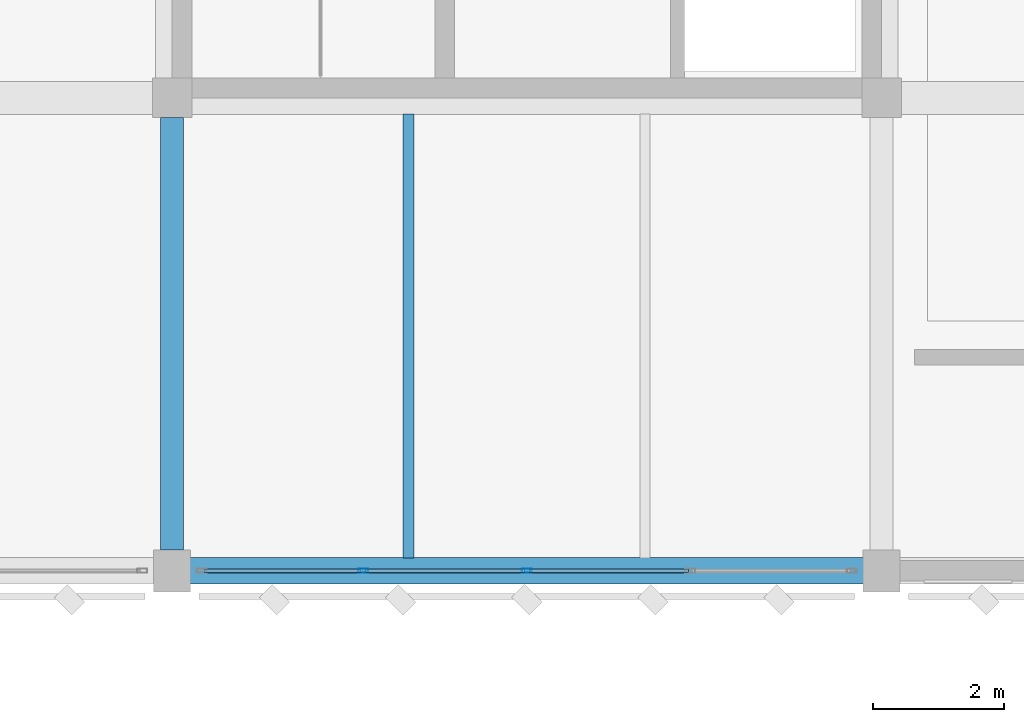
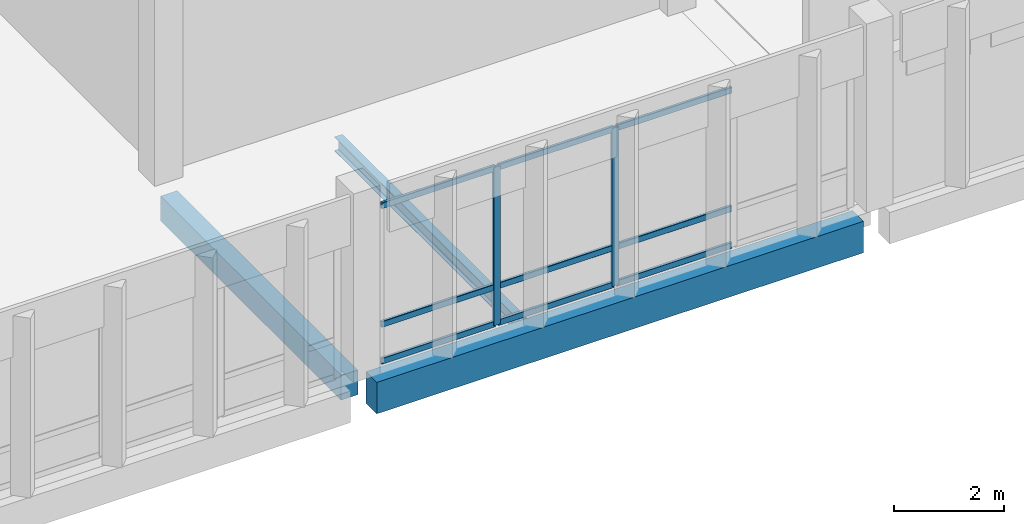
# One storey, part 49 of 158: 11 members, 3 beams, 1 element without a shape of its own.
"""IFC4 building model written with IfcOpenShell, lengths in metres."""

from ifc_helpers import new_model, si_unit, direction, frame, origin, origin_2d, place, context, subcontext, project, spatial, rectangle, hollow_rectangle, i_section, extrude, material, material_profile, profile_set, type_object, element, aggregate, save


model = new_model("IFC4")

# Units and contexts
model_context = context("Model", 3, precision=1e-05, world=origin(), true_north=direction((0.0, 1.0)))
body_context = subcontext(model_context, "Body", "Model", "MODEL_VIEW")
ifc_project = project(units=[si_unit("LENGTHUNIT", "METRE"), si_unit("AREAUNIT", "SQUARE_METRE"), si_unit("VOLUMEUNIT", "CUBIC_METRE"), si_unit("PLANEANGLEUNIT", "RADIAN"), si_unit("MASSUNIT", "GRAM", prefix="KILO")], contexts=[model_context])

# Site, building, storey
site_placement = place(None, origin())
site = spatial("IfcSite", under=ifc_project, at=site_placement, CompositionType="ELEMENT")
building_placement = place(site_placement, origin())
building = spatial("IfcBuilding", under=site, at=building_placement, Name="Lusvemor Sports Hall", CompositionType="ELEMENT")
storey_placement = place(building_placement, frame((0.0, 0.0, 10.800048828125)))
storey = spatial("IfcBuildingStorey", under=building, at=storey_placement, Name="L02", CompositionType="ELEMENT", Elevation=10.800048828125)

# Beam
ifc_material_1 = material(Name="Concrete C40/50", Category="concrete")
ifc_material_profile_1 = material_profile(ifc_material_1, rectangle(XDim=0.35009765625, YDim=0.550048828125, at=origin_2d()), Name="RC350x550")
ifc_profile_set_1 = profile_set([ifc_material_profile_1], Name="Concrete C40/50")
beam_type_1 = type_object("IfcBeamType", Name="BEAM_RC_550", PredefinedType="BEAM", material=ifc_profile_set_1)
beam_1_placement = place(storey_placement, frame((54.0, 97.51611328125, -0.53515625), z_axis=(0.0, 1.0, 0.0), x_axis=(-1.0, 0.0, 0.0)))
element("IfcBeam", 1, at=beam_1_placement, inside=storey, type_object=beam_type_1, Name="Beam L02 6:N-P", PredefinedType="BEAM", context=body_context, shape_type="SweptSolid", body=[
    extrude(rectangle(XDim=0.35009765625, YDim=0.550048828125, at=origin_2d()), origin(), (0.0, 0.0, 1.0), 6.587890625),
])

# Curtain wall, members
ifc_material_2 = material(Name="Thermally broken bronze-anodized aluminium", Category="aluminium")
curtain_wall_type = type_object("IfcCurtainWallType", Name="CW_WING_B", PredefinedType="NOTDEFINED", material=ifc_material_2)
curtain_wall_placement = place(storey_placement, origin())
curtain_wall = element("IfcCurtainWall", 2, at=curtain_wall_placement, inside=storey, type_object=curtain_wall_type, Name="Curtain Wall CW-L02-S-3-3", PredefinedType="NOTDEFINED")
ifc_material_3 = material(Name="Thermally broken bronze-anodized aluminium", Category="aluminium")
ifc_material_profile_2 = material_profile(ifc_material_3, hollow_rectangle(XDim=0.06494140625, YDim=0.14990234375, WallThickness=0.00390625, InnerFilletRadius=0.00390625, OuterFilletRadius=0.008056640625, at=origin_2d()), Name="CWMUL150x65x4")
ifc_profile_set_2 = profile_set([ifc_material_profile_2], Name="Thermally broken bronze-anodized aluminium")
member_type_1 = type_object("IfcMemberType", Name="CW_MUL_B", PredefinedType="MULLION", material=ifc_profile_set_2)
member_1_placement = place(storey_placement, frame((59.39990234375, 97.199951171875, 0.0), z_axis=(0.0, 0.0, 1.0), x_axis=(0.0, -1.0, 0.0)))
member_1 = element("IfcMember", 3, at=member_1_placement, type_object=member_type_1, Name="CW02 mullion 3", PredefinedType="MULLION", context=body_context, shape_type="SweptSolid", body=[
    extrude(hollow_rectangle(XDim=0.06494140625, YDim=0.14990234375, WallThickness=0.00390625, InnerFilletRadius=0.00390625, OuterFilletRadius=0.008056640625, at=origin_2d()), origin(), (0.0, 0.0, 1.0), 3.52001953125),
])
member_2_placement = place(storey_placement, frame((56.909912109375, 97.199951171875, 0.0), z_axis=(0.0, 0.0, 1.0), x_axis=(0.0, -1.0, 0.0)))
member_2 = element("IfcMember", 4, at=member_2_placement, type_object=member_type_1, Name="CW02 mullion 4", PredefinedType="MULLION", context=body_context, shape_type="SweptSolid", body=[
    extrude(hollow_rectangle(XDim=0.06494140625, YDim=0.14990234375, WallThickness=0.00390625, InnerFilletRadius=0.00390625, OuterFilletRadius=0.008056640625, at=origin_2d()), origin(), (0.0, 0.0, 1.0), 3.52001953125),
])
ifc_material_4 = material(Name="Thermally broken bronze-anodized aluminium", Category="aluminium")
ifc_material_profile_3 = material_profile(ifc_material_4, hollow_rectangle(XDim=0.06005859375, YDim=0.135009765625, WallThickness=0.00390625, InnerFilletRadius=0.00390625, OuterFilletRadius=0.008056640625, at=origin_2d()), Name="CWTRN135x60x4")
ifc_profile_set_3 = profile_set([ifc_material_profile_3], Name="Thermally broken bronze-anodized aluminium")
member_type_2 = type_object("IfcMemberType", Name="CW_TRN_B", PredefinedType="USERDEFINED", material=ifc_profile_set_3)
member_3_placement = place(storey_placement, frame((61.857421875, 97.199951171875, 0.030029296875), z_axis=(-1.0, 0.0, 0.0), x_axis=(0.0, -1.0, 0.0)))
member_3 = element("IfcMember", 5, at=member_3_placement, type_object=member_type_2, Name="CW02 transom 2.1", ObjectType="TRANSOM", PredefinedType="USERDEFINED", context=body_context, shape_type="SweptSolid", body=[
    extrude(hollow_rectangle(XDim=0.06005859375, YDim=0.135009765625, WallThickness=0.00390625, InnerFilletRadius=0.00390625, OuterFilletRadius=0.008056640625, at=origin_2d()), origin(), (0.0, 0.0, 1.0), 2.4248046875),
])
member_4_placement = place(storey_placement, frame((61.857421875, 97.199951171875, 0.849853515625), z_axis=(-1.0, 0.0, 0.0), x_axis=(0.0, -1.0, 0.0)))
member_4 = element("IfcMember", 6, at=member_4_placement, type_object=member_type_2, Name="CW02 transom 2.2", ObjectType="TRANSOM", PredefinedType="USERDEFINED", context=body_context, shape_type="SweptSolid", body=[
    extrude(hollow_rectangle(XDim=0.06005859375, YDim=0.135009765625, WallThickness=0.00390625, InnerFilletRadius=0.00390625, OuterFilletRadius=0.008056640625, at=origin_2d()), origin(), (0.0, 0.0, 1.0), 2.4248046875),
])
member_5_placement = place(storey_placement, frame((61.857421875, 97.199951171875, 3.489990234375), z_axis=(-1.0, 0.0, 0.0), x_axis=(0.0, -1.0, 0.0)))
member_5 = element("IfcMember", 7, at=member_5_placement, type_object=member_type_2, Name="CW02 transom 2.3", ObjectType="TRANSOM", PredefinedType="USERDEFINED", context=body_context, shape_type="SweptSolid", body=[
    extrude(hollow_rectangle(XDim=0.06005859375, YDim=0.135009765625, WallThickness=0.00390625, InnerFilletRadius=0.00390625, OuterFilletRadius=0.008056640625, at=origin_2d()), origin(), (0.0, 0.0, 1.0), 2.4248046875),
])
member_6_placement = place(storey_placement, frame((59.367431640625, 97.199951171875, 0.030029296875), z_axis=(-1.0, 0.0, 0.0), x_axis=(0.0, -1.0, 0.0)))
member_6 = element("IfcMember", 8, at=member_6_placement, type_object=member_type_2, Name="CW02 transom 3.1", ObjectType="TRANSOM", PredefinedType="USERDEFINED", context=body_context, shape_type="SweptSolid", body=[
    extrude(hollow_rectangle(XDim=0.06005859375, YDim=0.135009765625, WallThickness=0.00390625, InnerFilletRadius=0.00390625, OuterFilletRadius=0.008056640625, at=origin_2d()), origin(), (0.0, 0.0, 1.0), 2.425048828125),
])
member_7_placement = place(storey_placement, frame((59.367431640625, 97.199951171875, 0.849853515625), z_axis=(-1.0, 0.0, 0.0), x_axis=(0.0, -1.0, 0.0)))
member_7 = element("IfcMember", 9, at=member_7_placement, type_object=member_type_2, Name="CW02 transom 3.2", ObjectType="TRANSOM", PredefinedType="USERDEFINED", context=body_context, shape_type="SweptSolid", body=[
    extrude(hollow_rectangle(XDim=0.06005859375, YDim=0.135009765625, WallThickness=0.00390625, InnerFilletRadius=0.00390625, OuterFilletRadius=0.008056640625, at=origin_2d()), origin(), (0.0, 0.0, 1.0), 2.425048828125),
])
member_8_placement = place(storey_placement, frame((59.367431640625, 97.199951171875, 3.489990234375), z_axis=(-1.0, 0.0, 0.0), x_axis=(0.0, -1.0, 0.0)))
member_8 = element("IfcMember", 10, at=member_8_placement, type_object=member_type_2, Name="CW02 transom 3.3", ObjectType="TRANSOM", PredefinedType="USERDEFINED", context=body_context, shape_type="SweptSolid", body=[
    extrude(hollow_rectangle(XDim=0.06005859375, YDim=0.135009765625, WallThickness=0.00390625, InnerFilletRadius=0.00390625, OuterFilletRadius=0.008056640625, at=origin_2d()), origin(), (0.0, 0.0, 1.0), 2.425048828125),
])
member_9_placement = place(storey_placement, frame((56.87744140625, 97.199951171875, 0.030029296875), z_axis=(-1.0, 0.0, 0.0), x_axis=(0.0, -1.0, 0.0)))
member_9 = element("IfcMember", 11, at=member_9_placement, type_object=member_type_2, Name="CW02 transom 4.1", ObjectType="TRANSOM", PredefinedType="USERDEFINED", context=body_context, shape_type="SweptSolid", body=[
    extrude(hollow_rectangle(XDim=0.06005859375, YDim=0.135009765625, WallThickness=0.00390625, InnerFilletRadius=0.00390625, OuterFilletRadius=0.008056640625, at=origin_2d()), origin(), (0.0, 0.0, 1.0), 2.392333984375),
])
member_10_placement = place(storey_placement, frame((56.87744140625, 97.199951171875, 0.849853515625), z_axis=(-1.0, 0.0, 0.0), x_axis=(0.0, -1.0, 0.0)))
member_10 = element("IfcMember", 12, at=member_10_placement, type_object=member_type_2, Name="CW02 transom 4.2", ObjectType="TRANSOM", PredefinedType="USERDEFINED", context=body_context, shape_type="SweptSolid", body=[
    extrude(hollow_rectangle(XDim=0.06005859375, YDim=0.135009765625, WallThickness=0.00390625, InnerFilletRadius=0.00390625, OuterFilletRadius=0.008056640625, at=origin_2d()), origin(), (0.0, 0.0, 1.0), 2.392333984375),
])
member_11_placement = place(storey_placement, frame((56.87744140625, 97.199951171875, 3.489990234375), z_axis=(-1.0, 0.0, 0.0), x_axis=(0.0, -1.0, 0.0)))
member_11 = element("IfcMember", 13, at=member_11_placement, type_object=member_type_2, Name="CW02 transom 4.3", ObjectType="TRANSOM", PredefinedType="USERDEFINED", context=body_context, shape_type="SweptSolid", body=[
    extrude(hollow_rectangle(XDim=0.06005859375, YDim=0.135009765625, WallThickness=0.00390625, InnerFilletRadius=0.00390625, OuterFilletRadius=0.008056640625, at=origin_2d()), origin(), (0.0, 0.0, 1.0), 2.392333984375),
])
aggregate(curtain_wall, [member_1, member_2, member_3, member_4, member_5, member_6, member_7, member_8, member_9, member_10, member_11])

# Beams
ifc_material_5 = material(Name="Steel S355", Category="steel")
ifc_material_profile_4 = material_profile(ifc_material_5, i_section(OverallWidth=0.1669921875, OverallDepth=0.31689453125, WebThickness=0.007568359375, FlangeThickness=0.01318359375, FilletRadius=0.014892578125, at=origin_2d()), Name="W310x52.0")
ifc_profile_set_4 = profile_set([ifc_material_profile_4], Name="Steel S355")
beam_type_2 = type_object("IfcBeamType", Name="JOIST_ST_310M", PredefinedType="JOIST", material=ifc_profile_set_4)
beam_2_placement = place(storey_placement, frame((57.60009765625, 97.39599609375, -0.422607421875), z_axis=(0.0, 1.0, 0.0), x_axis=(-1.0, 0.0, 0.0)))
element("IfcBeam", 14, at=beam_2_placement, inside=storey, type_object=beam_type_2, Name="Secondary Joist L02 6-7/N-P #1", PredefinedType="JOIST", context=body_context, shape_type="SweptSolid", body=[
    extrude(i_section(OverallWidth=0.1669921875, OverallDepth=0.31689453125, WebThickness=0.007568359375, FlangeThickness=0.01318359375, FilletRadius=0.014892578125, at=origin_2d()), origin(), (0.0, 0.0, 1.0), 6.758056640625),
])
ifc_material_6 = material(Name="Concrete C40/50", Category="concrete")
ifc_material_profile_5 = material_profile(ifc_material_6, rectangle(XDim=0.39990234375, YDim=0.699951171875, at=origin_2d()), Name="RC400x700")
ifc_profile_set_5 = profile_set([ifc_material_profile_5], Name="Concrete C40/50")
beam_type_3 = type_object("IfcBeamType", Name="SPAND_EXT_700", PredefinedType="SPANDREL", material=ifc_profile_set_5)
beam_3_placement = place(storey_placement, frame((54.27587890625, 97.199951171875, -0.610107421875), z_axis=(1.0, 0.0, 0.0), x_axis=(0.0, 1.0, 0.0)))
element("IfcBeam", 15, at=beam_3_placement, inside=storey, type_object=beam_type_3, Name="Beam L02 N:6-7", PredefinedType="SPANDREL", context=body_context, shape_type="SweptSolid", body=[
    extrude(rectangle(XDim=0.39990234375, YDim=0.699951171875, at=origin_2d()), origin(), (0.0, 0.0, 1.0), 10.248046875),
])

save(model, "model.ifc")
